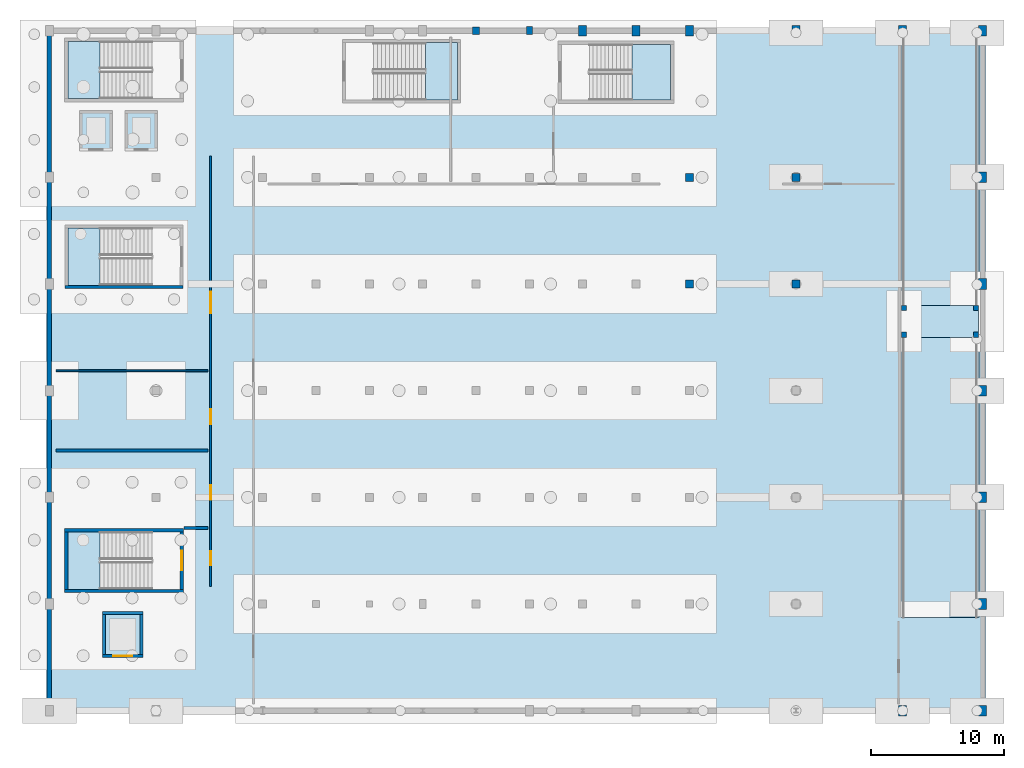
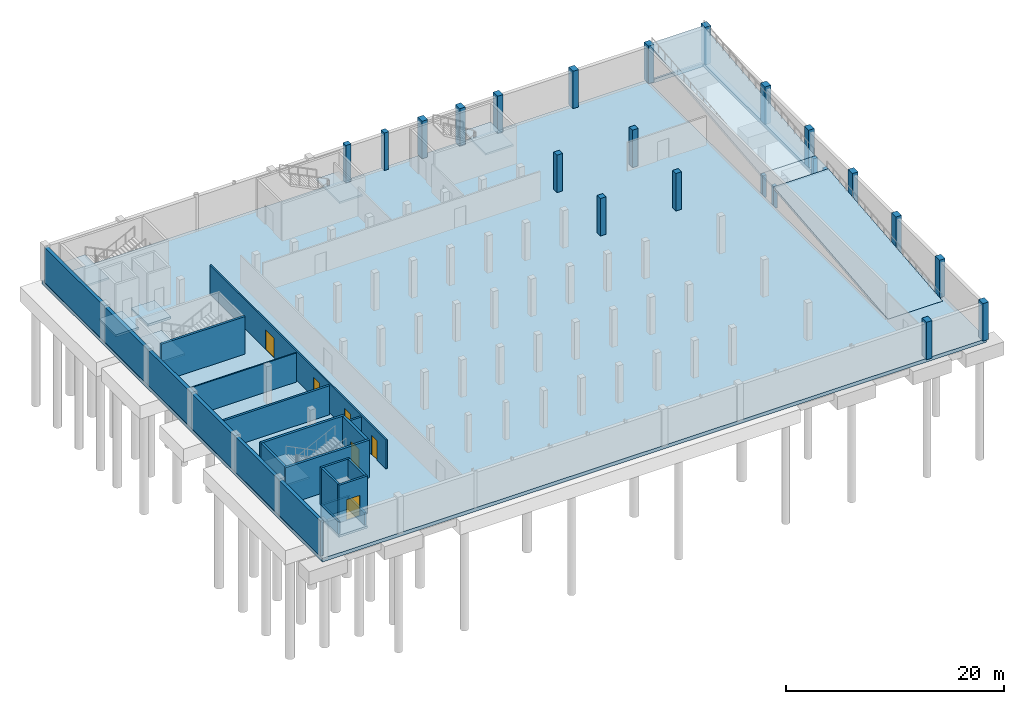
# One storey, part 7 of 15: 23 columns, 18 walls, 12 slabs, 6 doors, 6 openings, 5 elements without a shape of their own.
"""IFC4 building model written with IfcOpenShell, lengths in metres."""

from ifc_helpers import new_model, si_unit, derived_unit, direction, frame, frame_2d, origin, origin_2d, place, context, subcontext, project, spatial, polyline, rectangle, outline, extrude, material, layer, layer_set, material_profile, profile_set, type_object, element, fill, aggregate, save


model = new_model("IFC4")

# Units and contexts
model_context = context("Model", 3, precision=1e-05, world=origin(), true_north=direction((0.0, 1.0)))
body_context = subcontext(model_context, "Body", "Model", "MODEL_VIEW")
ifc_project = project(units=[si_unit("LENGTHUNIT", "METRE"), si_unit("AREAUNIT", "SQUARE_METRE"), si_unit("VOLUMEUNIT", "CUBIC_METRE"), si_unit("PLANEANGLEUNIT", "RADIAN"), si_unit("MASSUNIT", "GRAM", prefix="KILO"), derived_unit("THERMALTRANSMITTANCEUNIT", [(si_unit("POWERUNIT", "WATT"), 1), (si_unit("LENGTHUNIT", "METRE"), -2), (si_unit("THERMODYNAMICTEMPERATUREUNIT", "KELVIN"), -1)])], contexts=[model_context])

# Site, building, storey
site_placement = place(None, origin())
site = spatial("IfcSite", under=ifc_project, at=site_placement, CompositionType="ELEMENT")
building_placement = place(site_placement, origin())
building = spatial("IfcBuilding", under=site, at=building_placement, Name="Keldorne Ridge Multi-Sports Centre", CompositionType="ELEMENT")
storey_placement = place(building_placement, frame((0.0, 0.0, -4.199951171875)))
storey = spatial("IfcBuildingStorey", under=building, at=storey_placement, Name="B01", CompositionType="ELEMENT", Elevation=-4.199951171875)

# Columns
ifc_material_1 = material(Name="Concrete C40/50", Category="concrete")
ifc_material_profile_1 = material_profile(ifc_material_1, rectangle(XDim=0.60009765625, YDim=0.60009765625, at=origin_2d()), Name="RC 600x600")
ifc_profile_set_1 = profile_set([ifc_material_profile_1], Name="Concrete C40/50")
column_type_1 = type_object("IfcColumnType", Name="COL-C-20", PredefinedType="COLUMN", material=ifc_profile_set_1)
for number, where, z_axis, x_axis, name in (
    (1, (152.0, 98.0, 0.0), (0.0, 0.0, 1.0), (1.0, 0.0, 0.0), "Structural column V5-C-11-05 on B01"),
    (2, (152.0, 106.0, 0.0), (0.0, 0.0, 1.0), (1.0, 0.0, 0.0), "Structural column V5-C-11-06 on B01"),
    (3, (160.0, 98.0, 0.0), (0.0, 0.0, 1.0), (1.0, 0.0, 0.0), "Structural column V5-C-12-05 on B01"),
    (4, (160.0, 106.0, 0.0), (0.0, 0.0, 1.0), (1.0, 0.0, 0.0), "Structural column V5-C-12-06 on B01"),
):
    element("IfcColumn", number, at=place(storey_placement, frame(where, z_axis=z_axis, x_axis=x_axis)), inside=storey, type_object=column_type_1, Name=name, PredefinedType="COLUMN", context=body_context, shape_type="SweptSolid", body=[
        extrude(rectangle(XDim=0.60009765625, YDim=0.60009765625, at=origin_2d()), origin(), (0.0, 0.0, 1.0), 4.199951171875),
    ])
ifc_material_profile_2 = material_profile(ifc_material_1, rectangle(XDim=0.60009765625, YDim=0.800048828125, at=origin_2d()), Name="RC 600x800")
ifc_profile_set_2 = profile_set([ifc_material_profile_2], Name="Concrete C40/50")
column_type_2 = type_object("IfcColumnType", Name="COL-C-23", PredefinedType="COLUMN", material=ifc_profile_set_2)
for number, where, z_axis, x_axis, name in (
    (5, (144.0, 117.0, 0.0), (0.0, 0.0, 1.0), (1.0, 0.0, 0.0), "Structural column V5-C-09-07 on B01"),
    (6, (148.0, 117.0, 0.0), (0.0, 0.0, 1.0), (1.0, 0.0, 0.0), "Structural column V5-C-10-07 on B01"),
    (7, (152.0, 117.0, 0.0), (0.0, 0.0, 1.0), (1.0, 0.0, 0.0), "Structural column V5-C-11-07 on B01"),
    (8, (160.0, 117.0, 0.0), (0.0, 0.0, 1.0), (1.0, 0.0, 0.0), "Structural column V5-C-12-07 on B01"),
    (9, (168.0, 66.0, 0.0), (0.0, 0.0, 1.0), (1.0, 0.0, 0.0), "Structural column V5-C-13-01 on B01"),
    (10, (168.0, 117.0, 0.0), (0.0, 0.0, 1.0), (1.0, 0.0, 0.0), "Structural column V5-C-13-07 on B01"),
    (11, (174.0, 66.0, 0.0), (0.0, 0.0, 1.0), (1.0, 0.0, 0.0), "Structural column V5-C-14-01 on B01"),
    (12, (174.0, 74.0, 0.0), (0.0, 0.0, 1.0), (1.0, 0.0, 0.0), "Structural column V5-C-14-02 on B01"),
    (13, (174.0, 82.0, 0.0), (0.0, 0.0, 1.0), (1.0, 0.0, 0.0), "Structural column V5-C-14-03 on B01"),
    (14, (174.0, 90.0, 0.0), (0.0, 0.0, 1.0), (1.0, 0.0, 0.0), "Structural column V5-C-14-04 on B01"),
    (15, (174.0, 98.0, 0.0), (0.0, 0.0, 1.0), (1.0, 0.0, 0.0), "Structural column V5-C-14-05 on B01"),
    (16, (174.0, 106.0, 0.0), (0.0, 0.0, 1.0), (1.0, 0.0, 0.0), "Structural column V5-C-14-06 on B01"),
    (17, (174.0, 117.0, 0.0), (0.0, 0.0, 1.0), (1.0, 0.0, 0.0), "Structural column V5-C-14-07 on B01"),
):
    element("IfcColumn", number, at=place(storey_placement, frame(where, z_axis=z_axis, x_axis=x_axis)), inside=storey, type_object=column_type_2, Name=name, PredefinedType="COLUMN", context=body_context, shape_type="SweptSolid", body=[
        extrude(rectangle(XDim=0.60009765625, YDim=0.800048828125, at=origin_2d()), origin(), (0.0, 0.0, 1.0), 4.199951171875),
    ])
ifc_material_profile_3 = material_profile(ifc_material_1, rectangle(XDim=0.39990234375, YDim=0.39990234375, at=origin_2d()), Name="RC 400x400")
ifc_profile_set_3 = profile_set([ifc_material_profile_3], Name="Concrete C40/50")
column_type_3 = type_object("IfcColumnType", Name="COL-C-25", PredefinedType="COLUMN", material=ifc_profile_set_3)
for number, where, z_axis, x_axis, name in (
    (18, (168.10009765625, 94.199951171875, -0.400146484375), (0.0, 0.0, 1.0), (1.0, 0.0, 0.0), "Structural column V5-RMPCOL-1 on B01"),
    (19, (173.5, 94.199951171875, -0.400146484375), (0.0, 0.0, 1.0), (1.0, 0.0, 0.0), "Structural column V5-RMPCOL-2 on B01"),
    (20, (168.10009765625, 96.199951171875, -0.400146484375), (0.0, 0.0, 1.0), (1.0, 0.0, 0.0), "Structural column V5-RMPCOL-3 on B01"),
    (21, (173.5, 96.199951171875, -0.400146484375), (0.0, 0.0, 1.0), (1.0, 0.0, 0.0), "Structural column V5-RMPCOL-4 on B01"),
):
    element("IfcColumn", number, at=place(storey_placement, frame(where, z_axis=z_axis, x_axis=x_axis)), inside=storey, type_object=column_type_3, Name=name, PredefinedType="COLUMN", context=body_context, shape_type="SweptSolid", body=[
        extrude(rectangle(XDim=0.39990234375, YDim=0.39990234375, at=origin_2d()), origin(), (0.0, 0.0, 1.0), 2.5),
    ])
ifc_material_profile_4 = material_profile(ifc_material_1, rectangle(XDim=0.550048828125, YDim=0.550048828125, at=origin_2d()), Name="RC 550x550")
ifc_profile_set_4 = profile_set([ifc_material_profile_4], Name="Concrete C40/50")
column_type_4 = type_object("IfcColumnType", Name="COL-C-36", PredefinedType="COLUMN", material=ifc_profile_set_4)
column_1_placement = place(storey_placement, frame((136.0, 117.0, 0.0), z_axis=(0.0, 0.0, 1.0), x_axis=(1.0, 0.0, 0.0)))
element("IfcColumn", 22, at=column_1_placement, inside=storey, type_object=column_type_4, Name="Structural column V5-C-07-07 on B01", PredefinedType="COLUMN", context=body_context, shape_type="SweptSolid", body=[
    extrude(rectangle(XDim=0.550048828125, YDim=0.550048828125, at=origin_2d()), origin(), (0.0, 0.0, 1.0), 4.199951171875),
])
ifc_material_profile_5 = material_profile(ifc_material_1, rectangle(XDim=0.449951171875, YDim=0.60009765625, at=origin_2d()), Name="RC 450x600")
ifc_profile_set_5 = profile_set([ifc_material_profile_5], Name="Concrete C40/50")
column_type_5 = type_object("IfcColumnType", Name="COL-C-37", PredefinedType="COLUMN", material=ifc_profile_set_5)
column_2_placement = place(storey_placement, frame((140.0, 117.0, 0.0), z_axis=(0.0, 0.0, 1.0), x_axis=(1.0, 0.0, 0.0)))
element("IfcColumn", 23, at=column_2_placement, inside=storey, type_object=column_type_5, Name="Structural column V5-C-08-07 on B01", PredefinedType="COLUMN", context=body_context, shape_type="SweptSolid", body=[
    extrude(rectangle(XDim=0.449951171875, YDim=0.60009765625, at=origin_2d()), origin(), (0.0, 0.0, 1.0), 4.199951171875),
])

# Stair, slab
ifc_material_2 = material(Name="Concrete C35/45", Category="concrete")
stair_type = type_object("IfcStairType", Name="STR-S01", PredefinedType="HALF_TURN_STAIR", material=ifc_material_2)
stair_1_placement = place(storey_placement, origin())
stair_1 = element("IfcStair", 24, at=stair_1_placement, inside=storey, type_object=stair_type, Name="B01 North-East Primary Clinical Core C1", PredefinedType="HALF_TURN_STAIR")
ifc_layer_1 = layer(ifc_material_2, 0.199951171875)
ifc_layer_set_1 = layer_set([ifc_layer_1], Name="Concrete C35/45")
slab_type_1 = type_object("IfcSlabType", Name="SLB-LDG-01", PredefinedType="LANDING", material=ifc_layer_set_1)
slab_1_placement = place(storey_placement, frame((0.0, 0.0, 1.89990234375)))
slab_1 = element("IfcSlab", 25, at=slab_1_placement, type_object=slab_type_1, Name="ST-01 landing 1", PredefinedType="LANDING", context=body_context, shape_type="SweptSolid", body=[
    extrude(outline(polyline([(107.800048828125, 116.199951171875), (105.39990234375, 116.199951171875), (105.39990234375, 111.89990234375), (107.800048828125, 111.89990234375), (107.800048828125, 116.199951171875)])), origin(), (0.0, 0.0, 1.0), 0.199951171875),
])
aggregate(stair_1, [slab_1])

stair_2_placement = place(storey_placement, origin())
stair_2 = element("IfcStair", 26, at=stair_2_placement, inside=storey, type_object=stair_type, Name="B01 East Wing South Core C2", PredefinedType="HALF_TURN_STAIR")
slab_2_placement = place(storey_placement, frame((0.0, 0.0, 1.89990234375)))
slab_2 = element("IfcSlab", 27, at=slab_2_placement, type_object=slab_type_1, Name="ST-02 landing 1", PredefinedType="LANDING", context=body_context, shape_type="SweptSolid", body=[
    extrude(outline(polyline([(107.800048828125, 79.39990234375), (105.39990234375, 79.39990234375), (105.39990234375, 75.10009765625), (107.800048828125, 75.10009765625), (107.800048828125, 79.39990234375)])), origin(), (0.0, 0.0, 1.0), 0.199951171875),
])
aggregate(stair_2, [slab_2])

stair_3_placement = place(storey_placement, origin())
stair_3 = element("IfcStair", 28, at=stair_3_placement, inside=storey, type_object=stair_type, Name="B01 East Wing Studio Core C3", PredefinedType="HALF_TURN_STAIR")
slab_3_placement = place(storey_placement, frame((0.0, 0.0, 1.89990234375)))
slab_3 = element("IfcSlab", 29, at=slab_3_placement, type_object=slab_type_1, Name="ST-03 landing 1", PredefinedType="LANDING", context=body_context, shape_type="SweptSolid", body=[
    extrude(outline(polyline([(147.68994140625, 111.800048828125), (150.60009765625, 111.800048828125), (150.60009765625, 115.97998046875), (147.68994140625, 115.97998046875), (147.68994140625, 111.800048828125)])), origin(), (0.0, 0.0, 1.0), 0.199951171875),
])
aggregate(stair_3, [slab_3])

stair_4_placement = place(storey_placement, origin())
stair_4 = element("IfcStair", 30, at=stair_4_placement, inside=storey, type_object=stair_type, Name="B01 Upper Studio Escape Stair ST-10", PredefinedType="HALF_TURN_STAIR")
slab_4_placement = place(storey_placement, frame((0.0, 0.0, 1.89990234375)))
slab_4 = element("IfcSlab", 31, at=slab_4_placement, type_object=slab_type_1, Name="ST-10 landing 1", PredefinedType="LANDING", context=body_context, shape_type="SweptSolid", body=[
    extrude(outline(polyline([(132.199951171875, 111.800048828125), (134.60009765625, 111.800048828125), (134.60009765625, 116.10009765625), (132.199951171875, 116.10009765625), (132.199951171875, 111.800048828125)])), origin(), (0.0, 0.0, 1.0), 0.199951171875),
])
aggregate(stair_4, [slab_4])

stair_5_placement = place(storey_placement, origin())
stair_5 = element("IfcStair", 32, at=stair_5_placement, inside=storey, type_object=stair_type, Name="B01 Mid-Wing Escape Stair ST-11", PredefinedType="HALF_TURN_STAIR")
slab_5_placement = place(storey_placement, frame((0.0, 0.0, 1.89990234375)))
slab_5 = element("IfcSlab", 33, at=slab_5_placement, type_object=slab_type_1, Name="ST-11 landing 1", PredefinedType="LANDING", context=body_context, shape_type="SweptSolid", body=[
    extrude(outline(polyline([(107.800048828125, 102.199951171875), (105.39990234375, 102.199951171875), (105.39990234375, 97.89990234375), (107.800048828125, 97.89990234375), (107.800048828125, 102.199951171875)])), origin(), (0.0, 0.0, 1.0), 0.199951171875),
])
aggregate(stair_5, [slab_5])

# Slabs
slab_6_placement = place(storey_placement, frame((0.0, 0.0, 1.89990234375)))
element("IfcSlab", 34, at=slab_6_placement, inside=storey, type_object=slab_type_1, Name="Basement Car Park Vehicle Ramp VR-01 intermediate landing", PredefinedType="LANDING", context=body_context, shape_type="SweptSolid", body=[
    extrude(outline(polyline([(167.89990234375, 94.0), (173.699951171875, 94.0), (173.699951171875, 96.39990234375), (167.89990234375, 96.39990234375), (167.89990234375, 94.0)])), origin(), (0.0, 0.0, 1.0), 0.199951171875),
])
ifc_layer_2 = layer(ifc_material_1, 0.39990234375)
ifc_layer_set_2 = layer_set([ifc_layer_2], Name="Concrete C40/50")
slab_type_2 = type_object("IfcSlabType", Name="SLB-SL-B01", PredefinedType="BASESLAB", material=ifc_layer_set_2)
slab_7_placement = place(storey_placement, frame((0.0, 0.0, -0.400146484375)))
element("IfcSlab", 35, at=slab_7_placement, inside=storey, type_object=slab_type_2, Name="Basement waterproof reinforced concrete raft slab", PredefinedType="BASESLAB", context=body_context, shape_type="SweptSolid", body=[
    extrude(outline(polyline([(103.800048828125, 65.800048828125), (174.199951171875, 65.800048828125), (174.199951171875, 117.199951171875), (103.800048828125, 117.199951171875), (103.800048828125, 65.800048828125)]), holes=[polyline([(167.889892578125, 73.0), (167.889892578125, 116.97998046875), (173.7099609375, 116.97998046875), (173.7099609375, 73.0), (167.889892578125, 73.0)])]), origin(), (0.0, 0.0, 1.0), 0.400146484375),
])
ifc_layer_3 = layer(ifc_material_2, 0.18994140625)
ifc_layer_set_3 = layer_set([ifc_layer_3], Name="Concrete C35/45")
slab_type_3 = type_object("IfcSlabType", Name="SLB-SL-F04", PredefinedType="FLOOR", material=ifc_layer_set_3)
slab_8_placement = place(storey_placement, frame((0.0, 0.0, -1.650146484375)))
element("IfcSlab", 36, at=slab_8_placement, inside=storey, type_object=slab_type_3, Name="Lift L-01 pit base slab", PredefinedType="FLOOR", context=body_context, shape_type="SweptSolid", body=[
    extrude(outline(polyline([(106.280029296875, 107.97998046875), (108.719970703125, 107.97998046875), (108.719970703125, 111.02001953125), (106.280029296875, 111.02001953125), (106.280029296875, 107.97998046875)])), origin(), (0.0, 0.0, 1.0), 0.25),
])
slab_9_placement = place(storey_placement, frame((0.0, 0.0, -1.650146484375)))
element("IfcSlab", 37, at=slab_9_placement, inside=storey, type_object=slab_type_3, Name="Lift L-02 pit base slab", PredefinedType="FLOOR", context=body_context, shape_type="SweptSolid", body=[
    extrude(outline(polyline([(109.679931640625, 107.97998046875), (112.1201171875, 107.97998046875), (112.1201171875, 111.02001953125), (109.679931640625, 111.02001953125), (109.679931640625, 107.97998046875)])), origin(), (0.0, 0.0, 1.0), 0.25),
])
slab_10_placement = place(storey_placement, frame((0.0, 0.0, -1.650146484375)))
element("IfcSlab", 38, at=slab_10_placement, inside=storey, type_object=slab_type_3, Name="Lift L-05 pit base slab", PredefinedType="FLOOR", context=body_context, shape_type="SweptSolid", body=[
    extrude(outline(polyline([(107.97998046875, 69.97998046875), (111.02001953125, 69.97998046875), (111.02001953125, 73.419921875), (107.97998046875, 73.419921875), (107.97998046875, 69.97998046875)])), origin(), (0.0, 0.0, 1.0), 0.25),
])
ifc_layer_4 = layer(ifc_material_2, 0.280029296875)
ifc_layer_set_4 = layer_set([ifc_layer_4], Name="Concrete C35/45")
slab_type_4 = type_object("IfcSlabType", Name="SLB-VRF-01", PredefinedType="USERDEFINED", material=ifc_layer_set_4)
slab_11_placement = place(storey_placement, frame((167.89990234375, 73.0, 0.0), z_axis=(0.0, -0.099496846906, 0.995037877397), x_axis=(1.0, 0.0, 0.0)))
element("IfcSlab", 39, at=slab_11_placement, inside=storey, type_object=slab_type_4, Name="Basement Car Park Vehicle Ramp VR-01 lower slab", ObjectType="VEHICLE RAMP", PredefinedType="USERDEFINED", context=body_context, shape_type="SweptSolid", body=[
    extrude(outline(polyline([(0.0, 0.0), (5.800048828125, 0.0), (5.800048828125, 21.10472422911711), (0.0, 21.10472422911711), (0.0, 0.0)])), origin(), (0.0, 0.0, -1.0), 0.280029296875),
])
slab_12_placement = place(storey_placement, frame((167.89990234375, 96.39990234375, 2.099853515625), z_axis=(0.0, -0.101664792294, 0.994818712132), x_axis=(1.0, 0.0, 0.0)))
element("IfcSlab", 40, at=slab_12_placement, inside=storey, type_object=slab_type_4, Name="Basement Car Park Vehicle Ramp VR-01 upper slab", ObjectType="VEHICLE RAMP", PredefinedType="USERDEFINED", context=body_context, shape_type="SweptSolid", body=[
    extrude(outline(polyline([(0.0, 0.0), (5.800048828125, 0.0), (5.800048828125, 20.65707910146322), (0.0, 20.65707910146322), (0.0, 0.0)])), origin(), (0.0, 0.0, -1.0), 0.280029296875),
])

# Walls
ifc_material_3 = material(Name="Moisture-resistant stud plumbing wall")
ifc_layer_5 = layer(ifc_material_3, 0.219970703125)
ifc_layer_set_5 = layer_set([ifc_layer_5])
wall_type_1 = type_object("IfcWallType", Name="WAL-PL-01", PredefinedType="PLUMBINGWALL", material=ifc_layer_set_5)
wall_1_placement = place(storey_placement, frame((114.10009765625, 79.699951171875, 0.0), z_axis=(0.0, 0.0, 1.0), x_axis=(1.0, 0.0, 0.0)))
element("IfcWall", 41, at=wall_1_placement, inside=storey, type_object=wall_type_1, Name="Basement sanitary plumbing wall IW-B01-003", PredefinedType="PLUMBINGWALL", context=body_context, shape_type="SweptSolid", body=[
    extrude(rectangle(XDim=1.7998046875, YDim=0.219970703125, at=frame_2d((0.89990234375, 0.0))), origin(), (0.0, 0.0, 1.0), 3.25),
])
wall_2_placement = place(storey_placement, frame((104.5, 85.5, 0.0), z_axis=(0.0, 0.0, 1.0), x_axis=(1.0, 0.0, 0.0)))
element("IfcWall", 42, at=wall_2_placement, inside=storey, type_object=wall_type_1, Name="Basement WC north wall IW-B01-004", PredefinedType="PLUMBINGWALL", context=body_context, shape_type="SweptSolid", body=[
    extrude(rectangle(XDim=11.39990234375, YDim=0.219970703125, at=frame_2d((5.699951171875, 0.0))), origin(), (0.0, 0.0, 1.0), 3.25),
])
ifc_material_4 = material(Name="Acoustic metal stud plasterboard")
ifc_layer_6 = layer(ifc_material_4, 0.125)
ifc_layer_set_6 = layer_set([ifc_layer_6])
wall_type_2 = type_object("IfcWallType", Name="WAL-PT-01", PredefinedType="PARTITIONING", material=ifc_layer_set_6)
wall_3_placement = place(storey_placement, frame((104.5, 91.5, 0.0), z_axis=(0.0, 0.0, 1.0), x_axis=(1.0, 0.0, 0.0)))
element("IfcWall", 43, at=wall_3_placement, inside=storey, type_object=wall_type_2, Name="Bicycle store divider IW-B01-005", PredefinedType="PARTITIONING", context=body_context, shape_type="SweptSolid", body=[
    extrude(rectangle(XDim=11.39990234375, YDim=0.125, at=frame_2d((5.699951171875, 0.0))), origin(), (0.0, 0.0, 1.0), 3.25),
])

# Wall, openings, doors
ifc_material_5 = material(Name="Fire-rated twin stud plasterboard")
ifc_layer_7 = layer(ifc_material_5, 0.14990234375)
ifc_layer_set_7 = layer_set([ifc_layer_7])
wall_type_3 = type_object("IfcWallType", Name="WAL-PT-02", PredefinedType="PARTITIONING", material=ifc_layer_set_7)
wall_4_placement = place(storey_placement, frame((116.10009765625, 75.300048828125, 0.0), z_axis=(0.0, 0.0, 1.0), x_axis=(0.0, 1.0, 0.0)))
wall_4 = element("IfcWall", 44, at=wall_4_placement, inside=storey, type_object=wall_type_3, Name="Basement west commuter corridor wall IW-B01-002", PredefinedType="PARTITIONING", context=body_context, shape_type="SweptSolid", body=[
    extrude(rectangle(XDim=32.300048828125, YDim=0.14990234375, at=frame_2d((16.14990234375, 0.0))), origin(), (0.0, 0.0, 1.0), 3.25),
])
opening_1_placement = place(wall_4_placement, frame((1.60009765625, 0.0, 0.0)))
opening_1 = element("IfcOpeningElement", 45, at=opening_1_placement, cuts=wall_4, Name="Opening D-08", PredefinedType="OPENING", context=body_context, shape_type="SweptSolid", body=[
    extrude(rectangle(XDim=1.050048828125, YDim=2.14990234375, at=frame_2d((0.52490234375, 1.074951171875))), frame((0.0, 0.0849609375, 0.0), z_axis=(0.0, -1.0, 0.0), x_axis=(1.0, 0.0, 0.0)), (0.0, 0.0, 1.0), 0.169921875),
])
opening_2_placement = place(wall_4_placement, frame((6.5, 0.0, 0.0)))
opening_2 = element("IfcOpeningElement", 46, at=opening_2_placement, cuts=wall_4, Name="Opening D-03", PredefinedType="OPENING", context=body_context, shape_type="SweptSolid", body=[
    extrude(rectangle(XDim=1.10009765625, YDim=2.199951171875, at=frame_2d((0.550048828125, 1.10009765625))), frame((0.0, 0.0849609375, 0.0), z_axis=(0.0, -1.0, 0.0), x_axis=(1.0, 0.0, 0.0)), (0.0, 0.0, 1.0), 0.169921875),
])
opening_3_placement = place(wall_4_placement, frame((12.199951171875, 0.0, 0.0)))
opening_3 = element("IfcOpeningElement", 47, at=opening_3_placement, cuts=wall_4, Name="Opening D-03", PredefinedType="OPENING", context=body_context, shape_type="SweptSolid", body=[
    extrude(rectangle(XDim=1.10009765625, YDim=2.199951171875, at=frame_2d((0.550048828125, 1.10009765625))), frame((0.0, 0.0849609375, 0.0), z_axis=(0.0, -1.0, 0.0), x_axis=(1.0, 0.0, 0.0)), (0.0, 0.0, 1.0), 0.169921875),
])
opening_4_placement = place(wall_4_placement, frame((20.5, 0.0, 0.0)))
opening_4 = element("IfcOpeningElement", 48, at=opening_4_placement, cuts=wall_4, Name="Opening D-04", PredefinedType="OPENING", context=body_context, shape_type="SweptSolid", body=[
    extrude(rectangle(XDim=1.60009765625, YDim=2.199951171875, at=frame_2d((0.800048828125, 1.10009765625))), frame((0.0, 0.0849609375, 0.0), z_axis=(0.0, -1.0, 0.0), x_axis=(1.0, 0.0, 0.0)), (0.0, 0.0, 1.0), 0.169921875),
])
ifc_material_6 = material(Name="Timber fire-resisting leaf", Category="wood")
door_type_1 = type_object("IfcDoorType", Name="DR-D-03", OperationType="NOTDEFINED", PredefinedType="DOOR", material=ifc_material_6)
door_1_placement = place(opening_2_placement, origin())
door_1 = element("IfcDoor", 49, at=door_1_placement, inside=storey, type_object=door_type_1, Name="Basement Male and Female WC door D-054", OperationType="SINGLE_SWING_LEFT", OverallHeight=2.199951171875, OverallWidth=1.10009765625, PredefinedType="DOOR", context=body_context, shape_type="SweptSolid", body=[
    extrude(rectangle(XDim=1.10009765625, YDim=2.199951171875, at=frame_2d((0.550048828125, 1.10009765625))), frame((0.0, 0.02490234375, 0.0), z_axis=(0.0, -1.0, 0.0), x_axis=(1.0, 0.0, 0.0)), (0.0, 0.0, 1.0), 0.050048828125),
])
fill(opening_2, door_1)
door_2_placement = place(opening_3_placement, origin())
door_2 = element("IfcDoor", 50, at=door_2_placement, inside=storey, type_object=door_type_1, Name="Cyclist changing room door D-055", OperationType="SINGLE_SWING_RIGHT", OverallHeight=2.199951171875, OverallWidth=1.10009765625, PredefinedType="DOOR", context=body_context, shape_type="SweptSolid", body=[
    extrude(rectangle(XDim=1.10009765625, YDim=2.199951171875, at=frame_2d((0.550048828125, 1.10009765625))), frame((0.0, 0.02490234375, 0.0), z_axis=(0.0, -1.0, 0.0), x_axis=(1.0, 0.0, 0.0)), (0.0, 0.0, 1.0), 0.050048828125),
])
fill(opening_3, door_2)
ifc_material_7 = material(Name="Timber fire-resisting pair", Category="wood")
door_type_2 = type_object("IfcDoorType", Name="DR-D-04", OperationType="NOTDEFINED", PredefinedType="DOOR", material=ifc_material_7)
door_3_placement = place(opening_4_placement, origin())
door_3 = element("IfcDoor", 51, at=door_3_placement, inside=storey, type_object=door_type_2, Name="Bicycle parking hub double door D-056", OperationType="DOUBLE_DOOR_SINGLE_SWING", OverallHeight=2.199951171875, OverallWidth=1.60009765625, PredefinedType="DOOR", context=body_context, shape_type="SweptSolid", body=[
    extrude(rectangle(XDim=1.60009765625, YDim=2.199951171875, at=frame_2d((0.800048828125, 1.10009765625))), frame((0.0, 0.02490234375, 0.0), z_axis=(0.0, -1.0, 0.0), x_axis=(1.0, 0.0, 0.0)), (0.0, 0.0, 1.0), 0.050048828125),
])
fill(opening_4, door_3)
ifc_material_8 = material(Name="Timber moisture-resistant leaf", Category="wood")
door_type_3 = type_object("IfcDoorType", Name="DR-D-08", OperationType="NOTDEFINED", PredefinedType="DOOR", material=ifc_material_8)
door_4_placement = place(opening_1_placement, origin())
door_4 = element("IfcDoor", 52, at=door_4_placement, inside=storey, type_object=door_type_3, Name="Basement Accessible WC door D-053", OperationType="SINGLE_SWING_RIGHT", OverallHeight=2.14990234375, OverallWidth=1.050048828125, PredefinedType="DOOR", context=body_context, shape_type="SweptSolid", body=[
    extrude(rectangle(XDim=1.050048828125, YDim=2.14990234375, at=frame_2d((0.52490234375, 1.074951171875))), frame((0.0, 0.02490234375, 0.0), z_axis=(0.0, -1.0, 0.0), x_axis=(1.0, 0.0, 0.0)), (0.0, 0.0, 1.0), 0.050048828125),
])
fill(opening_1, door_4)

# Wall
ifc_layer_8 = layer(ifc_material_1, 0.35009765625)
ifc_layer_set_8 = layer_set([ifc_layer_8], Name="Concrete C40/50")
wall_type_4 = type_object("IfcWallType", Name="WAL-RW02", PredefinedType="SOLIDWALL", material=ifc_layer_set_8)
wall_5_placement = place(storey_placement, frame((104.0, 116.800048828125, 0.0), z_axis=(0.0, 0.0, 1.0), x_axis=(0.0, -1.0, 0.0)))
element("IfcWall", 53, at=wall_5_placement, inside=storey, type_object=wall_type_4, Name="Basement waterproof retaining wall RW-W", PredefinedType="SOLIDWALL", context=body_context, shape_type="SweptSolid", body=[
    extrude(rectangle(XDim=50.60009765625, YDim=0.35009765625, at=frame_2d((25.300048828125, 0.0))), origin(), (0.0, 0.0, 1.0), 3.929931640625),
])

# Wall, opening, door
ifc_layer_9 = layer(ifc_material_1, 0.25)
ifc_layer_set_9 = layer_set([ifc_layer_9], Name="Concrete C40/50")
wall_type_5 = type_object("IfcWallType", Name="WAL-SW01", PredefinedType="SHEAR", material=ifc_layer_set_9)
wall_6_placement = place(storey_placement, frame((113.925048828125, 75.10009765625, 0.0), z_axis=(0.0, 0.0, 1.0), x_axis=(0.0, 1.0, 0.0)))
wall_6 = element("IfcWall", 54, at=wall_6_placement, inside=storey, type_object=wall_type_5, Name="Stair ST-02 shaft wall B01 NEAR", PredefinedType="SHEAR", context=body_context, shape_type="SweptSolid", body=[
    extrude(rectangle(XDim=4.2998046875, YDim=0.25, at=frame_2d((2.14990234375, 0.0))), origin(), (0.0, 0.0, 1.0), 4.199951171875),
])
opening_5_placement = place(wall_6_placement, frame((1.425048828125, 0.0, 0.0)))
opening_5 = element("IfcOpeningElement", 55, at=opening_5_placement, cuts=wall_6, Name="Opening D-05", PredefinedType="OPENING", context=body_context, shape_type="SweptSolid", body=[
    extrude(rectangle(XDim=1.449951171875, YDim=2.199951171875, at=frame_2d((0.72509765625, 1.10009765625))), frame((0.0, 0.135009765625, 0.0), z_axis=(0.0, -1.0, 0.0), x_axis=(1.0, 0.0, 0.0)), (0.0, 0.0, 1.0), 0.27001953125),
])
ifc_material_9 = material(Name="Steel fire-resisting pair", Category="steel")
door_type_4 = type_object("IfcDoorType", Name="DR-D-05", OperationType="NOTDEFINED", PredefinedType="DOOR", material=ifc_material_9)
door_5_placement = place(opening_5_placement, origin())
door_5 = element("IfcDoor", 56, at=door_5_placement, inside=storey, type_object=door_type_4, Name="Stair ST-02 B01 fire door D-008", OperationType="DOUBLE_DOOR_SINGLE_SWING", OverallHeight=2.199951171875, OverallWidth=1.449951171875, PredefinedType="DOOR", context=body_context, shape_type="SweptSolid", body=[
    extrude(rectangle(XDim=1.449951171875, YDim=2.199951171875, at=frame_2d((0.72509765625, 1.10009765625))), frame((0.0, 0.02490234375, 0.0), z_axis=(0.0, -1.0, 0.0), x_axis=(1.0, 0.0, 0.0)), (0.0, 0.0, 1.0), 0.050048828125),
])
fill(opening_5, door_5)

# Walls
wall_7_placement = place(storey_placement, frame((105.27490234375, 79.39990234375, 0.0), z_axis=(0.0, 0.0, 1.0), x_axis=(0.0, -1.0, 0.0)))
element("IfcWall", 57, at=wall_7_placement, inside=storey, type_object=wall_type_5, Name="Stair ST-02 shaft wall B01 FAR", PredefinedType="SHEAR", context=body_context, shape_type="SweptSolid", body=[
    extrude(rectangle(XDim=4.2998046875, YDim=0.25, at=frame_2d((2.14990234375, 0.0))), origin(), (0.0, 0.0, 1.0), 4.199951171875),
])
for number, where, z_axis, x_axis, name in (
    (58, (105.14990234375, 74.97509765625, 0.0), (0.0, 0.0, 1.0), (1.0, 0.0, 0.0), "Stair ST-02 shaft wall B01 SOUTH"),
    (59, (114.050048828125, 79.52490234375, 0.0), (0.0, 0.0, 1.0), (-1.0, 0.0, 0.0), "Stair ST-02 shaft wall B01 NORTH"),
):
    element("IfcWall", number, at=place(storey_placement, frame(where, z_axis=z_axis, x_axis=x_axis)), inside=storey, type_object=wall_type_5, Name=name, PredefinedType="SHEAR", context=body_context, shape_type="SweptSolid", body=[
        extrude(rectangle(XDim=8.900146484375, YDim=0.25, at=frame_2d((4.4501953125, 0.0))), origin(), (0.0, 0.0, 1.0), 4.199951171875),
    ])
ifc_layer_10 = layer(ifc_material_1, 0.22998046875)
ifc_layer_set_10 = layer_set([ifc_layer_10], Name="Concrete C40/50")
wall_type_6 = type_object("IfcWallType", Name="WAL-SW02", PredefinedType="SHEAR", material=ifc_layer_set_10)
for number, where, z_axis, x_axis, name in (
    (60, (107.97998046875, 70.090087890625, -1.400146484375), (0.0, 0.0, 1.0), (1.0, 0.0, 0.0), "Lift L-05 pit wall S"),
    (61, (111.02001953125, 73.31005859375, -1.400146484375), (0.0, 0.0, 1.0), (-1.0, 0.0, 0.0), "Lift L-05 pit wall N"),
):
    element("IfcWall", number, at=place(storey_placement, frame(where, z_axis=z_axis, x_axis=x_axis)), inside=storey, type_object=wall_type_6, Name=name, PredefinedType="SHEAR", context=body_context, shape_type="SweptSolid", body=[
        extrude(rectangle(XDim=3.0400390625, YDim=0.219970703125, at=frame_2d((1.52001953125, 0.0))), origin(), (0.0, 0.0, 1.0), 1.400146484375),
    ])
for number, where, z_axis, x_axis, name in (
    (62, (108.090087890625, 73.199951171875, -1.400146484375), (0.0, 0.0, 1.0), (0.0, -1.0, 0.0), "Lift L-05 pit wall W"),
    (63, (110.909912109375, 70.199951171875, -1.400146484375), (0.0, 0.0, 1.0), (0.0, 1.0, 0.0), "Lift L-05 pit wall E"),
):
    element("IfcWall", number, at=place(storey_placement, frame(where, z_axis=z_axis, x_axis=x_axis)), inside=storey, type_object=wall_type_6, Name=name, PredefinedType="SHEAR", context=body_context, shape_type="SweptSolid", body=[
        extrude(rectangle(XDim=3.0, YDim=0.219970703125, at=frame_2d((1.5, 0.0))), origin(), (0.0, 0.0, 1.0), 1.400146484375),
    ])

# Wall, opening, door
wall_8_placement = place(storey_placement, frame((107.97998046875, 70.090087890625, 0.0), z_axis=(0.0, 0.0, 1.0), x_axis=(1.0, 0.0, 0.0)))
wall_8 = element("IfcWall", 64, at=wall_8_placement, inside=storey, type_object=wall_type_6, Name="Lift L-05 shaft wall B01 south", PredefinedType="SHEAR", context=body_context, shape_type="SweptSolid", body=[
    extrude(rectangle(XDim=3.0400390625, YDim=0.219970703125, at=frame_2d((1.52001953125, 0.0))), origin(), (0.0, 0.0, 1.0), 4.199951171875),
])
opening_6_placement = place(wall_8_placement, frame((0.820068359375, 0.0, 0.0)))
opening_6 = element("IfcOpeningElement", 65, at=opening_6_placement, cuts=wall_8, Name="Opening LD-03", PredefinedType="OPENING", context=body_context, shape_type="SweptSolid", body=[
    extrude(rectangle(XDim=1.39990234375, YDim=2.300048828125, at=frame_2d((0.699951171875, 1.14990234375))), frame((0.0, 0.1201171875, 0.0), z_axis=(0.0, -1.0, 0.0), x_axis=(1.0, 0.0, 0.0)), (0.0, 0.0, 1.0), 0.239990234375),
])
ifc_material_10 = material(Name="Stainless steel", Category="steel")
door_type_5 = type_object("IfcDoorType", Name="DR-LD-03", OperationType="NOTDEFINED", PredefinedType="DOOR", material=ifc_material_10)
door_6_placement = place(opening_6_placement, origin())
door_6 = element("IfcDoor", 66, at=door_6_placement, inside=storey, type_object=door_type_5, Name="Lift L-05 sliding landing door B01", OperationType="SLIDING_TO_LEFT", OverallHeight=2.300048828125, OverallWidth=1.39990234375, PredefinedType="DOOR", context=body_context, shape_type="SweptSolid", body=[
    extrude(rectangle(XDim=1.39990234375, YDim=2.300048828125, at=frame_2d((0.699951171875, 1.14990234375))), frame((0.0, 0.02490234375, 0.0), z_axis=(0.0, -1.0, 0.0), x_axis=(1.0, 0.0, 0.0)), (0.0, 0.0, 1.0), 0.050048828125),
])
fill(opening_6, door_6)

# Walls
wall_9_placement = place(storey_placement, frame((111.02001953125, 73.31005859375, 0.0), z_axis=(0.0, 0.0, 1.0), x_axis=(-1.0, 0.0, 0.0)))
element("IfcWall", 67, at=wall_9_placement, inside=storey, type_object=wall_type_6, Name="Lift L-05 shaft wall B01 north", PredefinedType="SHEAR", context=body_context, shape_type="SweptSolid", body=[
    extrude(rectangle(XDim=3.0400390625, YDim=0.219970703125, at=frame_2d((1.52001953125, 0.0))), origin(), (0.0, 0.0, 1.0), 4.199951171875),
])
for number, where, z_axis, x_axis, name in (
    (68, (108.090087890625, 73.199951171875, 0.0), (0.0, 0.0, 1.0), (0.0, -1.0, 0.0), "Lift L-05 shaft wall B01 west"),
    (69, (110.909912109375, 70.199951171875, 0.0), (0.0, 0.0, 1.0), (0.0, 1.0, 0.0), "Lift L-05 shaft wall B01 east"),
):
    element("IfcWall", number, at=place(storey_placement, frame(where, z_axis=z_axis, x_axis=x_axis)), inside=storey, type_object=wall_type_6, Name=name, PredefinedType="SHEAR", context=body_context, shape_type="SweptSolid", body=[
        extrude(rectangle(XDim=3.0, YDim=0.219970703125, at=frame_2d((1.5, 0.0))), origin(), (0.0, 0.0, 1.0), 4.199951171875),
    ])
wall_10_placement = place(storey_placement, frame((105.169921875, 97.784912109375, 0.0), z_axis=(0.0, 0.0, 1.0), x_axis=(1.0, 0.0, 0.0)))
element("IfcWall", 70, at=wall_10_placement, inside=storey, type_object=wall_type_6, Name="Stair ST-11 shaft wall B01 SOUTH", PredefinedType="SHEAR", context=body_context, shape_type="SweptSolid", body=[
    extrude(rectangle(XDim=8.860107421875, YDim=0.22998046875, at=frame_2d((4.43017578125, 0.0))), origin(), (0.0, 0.0, 1.0), 4.199951171875),
])

save(model, "model.ifc")
